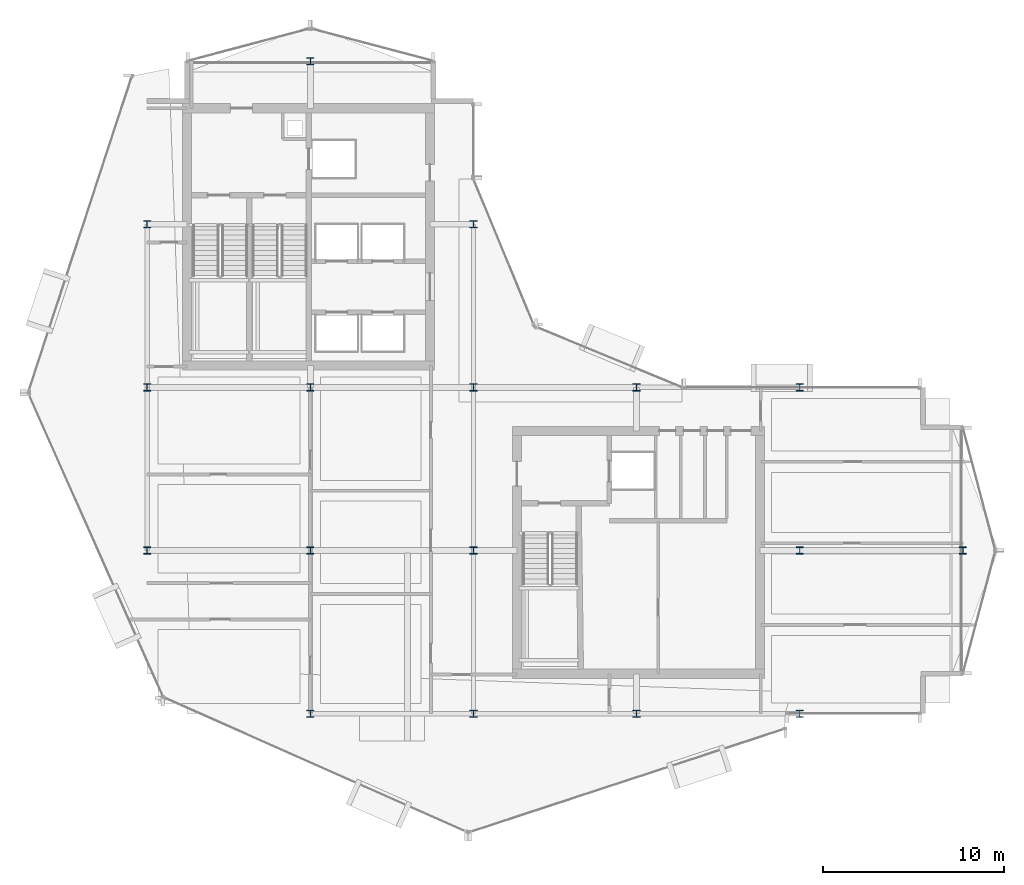
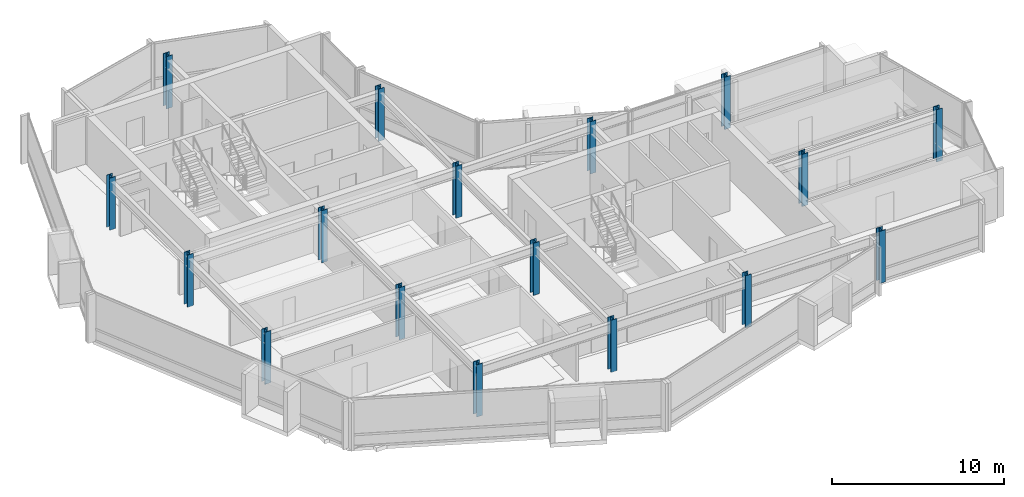
# One storey, part 1 of 28: 17 columns.
"""IFC4 building model written with IfcOpenShell, lengths in metres."""

from ifc_helpers import new_model, si_unit, direction, frame, origin, origin_2d, place, context, subcontext, project, spatial, i_section, extrude, material, material_profile, profile_set, type_object, element, save


model = new_model("IFC4")

# Units and contexts
model_context = context("Model", 3, precision=1e-05, world=origin(), true_north=direction((0.0, 1.0)))
body_context = subcontext(model_context, "Body", "Model", "MODEL_VIEW")
ifc_project = project(units=[si_unit("LENGTHUNIT", "METRE"), si_unit("AREAUNIT", "SQUARE_METRE"), si_unit("VOLUMEUNIT", "CUBIC_METRE"), si_unit("PLANEANGLEUNIT", "RADIAN"), si_unit("MASSUNIT", "GRAM", prefix="KILO")], contexts=[model_context])

# Site, building, storey
site_placement = place(None, origin())
site = spatial("IfcSite", under=ifc_project, at=site_placement, CompositionType="ELEMENT")
building_placement = place(site_placement, origin())
building = spatial("IfcBuilding", under=site, at=building_placement, Name="Solvaryn Broadcast Tower", CompositionType="ELEMENT")
storey_placement = place(building_placement, frame((0.0, 0.0, 209.89990234375)))
storey = spatial("IfcBuildingStorey", under=building, at=storey_placement, Name="L52", CompositionType="ELEMENT", Elevation=209.89990234375)

# Columns
ifc_material_1 = material(Name="Steel ASTM A913 Grade 65", Category="steel")
ifc_material_profile_1 = material_profile(ifc_material_1, i_section(OverallWidth=0.40087890625, OverallDepth=0.39892578125, WebThickness=0.02490234375, FlangeThickness=0.03955078125, FilletRadius=0.014892578125, at=origin_2d()))
ifc_profile_set_1 = profile_set([ifc_material_profile_1], Name="Steel ASTM A913 Grade 65")
column_type_1 = type_object("IfcColumnType", Name="COL-C08E-W14X211", PredefinedType="COLUMN", material=ifc_profile_set_1)
for number, where, z_axis, x_axis, name in (
    (1, (9.0, 18.0, 0.0), (0.0, 0.0, 1.0), (1.0, 0.0, 0.0), "L52 Column (9.0, 18.0)"),
    (2, (9.0, 27.0, 0.0), (0.0, 0.0, 1.0), (1.0, 0.0, 0.0), "L52 Column (9.0, 27.0)"),
    (3, (9.0, 36.0, 0.0), (0.0, 0.0, 1.0), (1.0, 0.0, 0.0), "L52 Column (9.0, 36.0)"),
    (4, (18.0, 9.0, 0.0), (0.0, 0.0, 1.0), (1.0, 0.0, 0.0), "L52 Column (18.0, 9.0)"),
    (5, (18.0, 45.0, 0.0), (0.0, 0.0, 1.0), (1.0, 0.0, 0.0), "L52 Column (18.0, 45.0)"),
    (6, (27.0, 9.0, 0.0), (0.0, 0.0, 1.0), (1.0, 0.0, 0.0), "L52 Column (27.0, 9.0)"),
    (7, (27.0, 36.0, 0.0), (0.0, 0.0, 1.0), (1.0, 0.0, 0.0), "L52 Column (27.0, 36.0)"),
    (8, (36.0, 9.0, 0.0), (0.0, 0.0, 1.0), (1.0, 0.0, 0.0), "L52 Column (36.0, 9.0)"),
    (9, (36.0, 27.0, 0.0), (0.0, 0.0, 1.0), (1.0, 0.0, 0.0), "L52 Column (36.0, 27.0)"),
    (10, (45.0, 9.0, 0.0), (0.0, 0.0, 1.0), (1.0, 0.0, 0.0), "L52 Column (45.0, 9.0)"),
    (11, (45.0, 27.0, 0.0), (0.0, 0.0, 1.0), (1.0, 0.0, 0.0), "L52 Column (45.0, 27.0)"),
    (12, (54.0, 18.0, 0.0), (0.0, 0.0, 1.0), (1.0, 0.0, 0.0), "L52 Column (54.0, 18.0)"),
):
    element("IfcColumn", number, at=place(storey_placement, frame(where, z_axis=z_axis, x_axis=x_axis)), inside=storey, type_object=column_type_1, Name=name, PredefinedType="COLUMN", context=body_context, shape_type="SweptSolid", body=[
        extrude(i_section(OverallWidth=0.40087890625, OverallDepth=0.39892578125, WebThickness=0.02490234375, FlangeThickness=0.03955078125, FilletRadius=0.014892578125, at=origin_2d()), origin(), (0.0, 0.0, 1.0), 3.7001953125),
    ])
ifc_material_2 = material(Name="Steel ASTM A913 Grade 65", Category="steel")
ifc_material_profile_2 = material_profile(ifc_material_2, i_section(OverallWidth=0.40087890625, OverallDepth=0.39892578125, WebThickness=0.02490234375, FlangeThickness=0.03955078125, FilletRadius=0.014892578125, at=origin_2d()))
ifc_profile_set_2 = profile_set([ifc_material_profile_2], Name="Steel ASTM A913 Grade 65")
column_type_2 = type_object("IfcColumnType", Name="COL-C08I-W14X211", PredefinedType="COLUMN", material=ifc_profile_set_2)
for number, where, z_axis, x_axis, name in (
    (13, (18.0, 18.0, 0.0), (0.0, 0.0, 1.0), (1.0, 0.0, 0.0), "L52 Column (18.0, 18.0)"),
    (14, (18.0, 27.0, 0.0), (0.0, 0.0, 1.0), (1.0, 0.0, 0.0), "L52 Column (18.0, 27.0)"),
    (15, (27.0, 18.0, 0.0), (0.0, 0.0, 1.0), (1.0, 0.0, 0.0), "L52 Column (27.0, 18.0)"),
    (16, (27.0, 27.0, 0.0), (0.0, 0.0, 1.0), (1.0, 0.0, 0.0), "L52 Column (27.0, 27.0)"),
    (17, (45.0, 18.0, 0.0), (0.0, 0.0, 1.0), (1.0, 0.0, 0.0), "L52 Column (45.0, 18.0)"),
):
    element("IfcColumn", number, at=place(storey_placement, frame(where, z_axis=z_axis, x_axis=x_axis)), inside=storey, type_object=column_type_2, Name=name, PredefinedType="COLUMN", context=body_context, shape_type="SweptSolid", body=[
        extrude(i_section(OverallWidth=0.40087890625, OverallDepth=0.39892578125, WebThickness=0.02490234375, FlangeThickness=0.03955078125, FilletRadius=0.014892578125, at=origin_2d()), origin(), (0.0, 0.0, 1.0), 3.7001953125),
    ])

save(model, "model.ifc")
